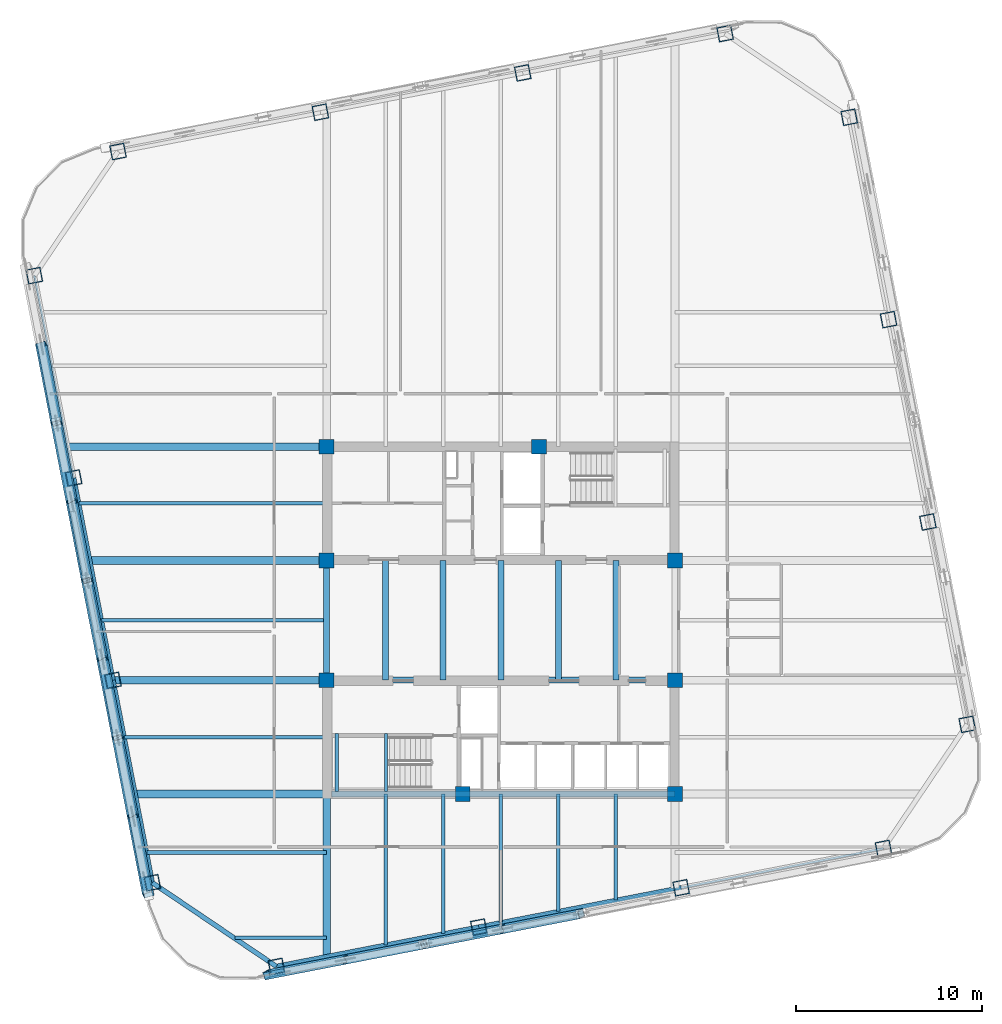
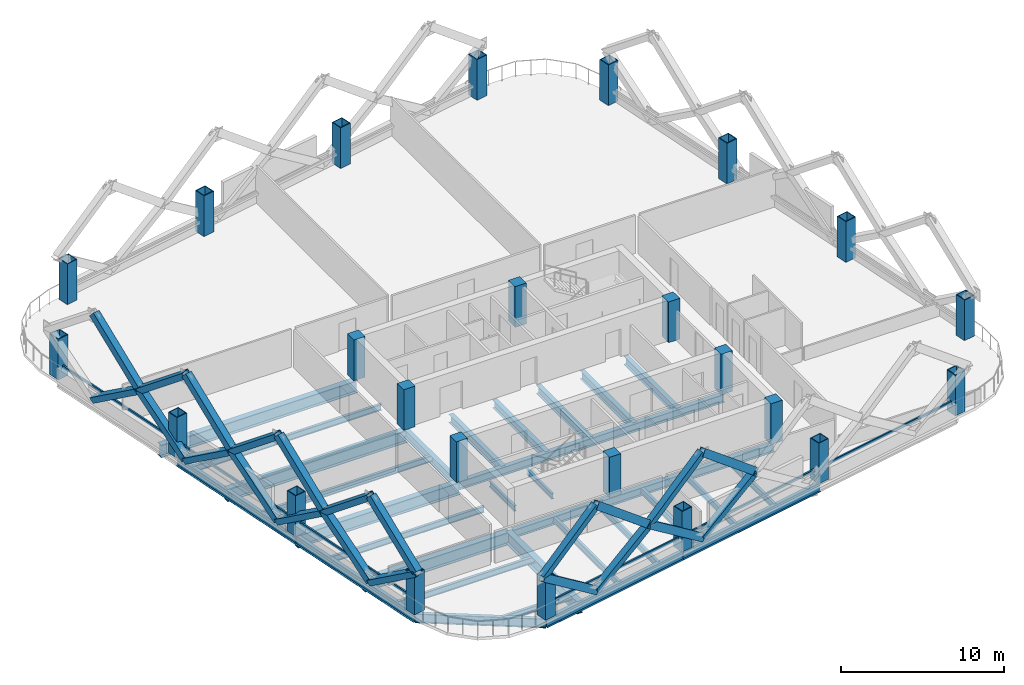
# One storey, part 1 of 9: 30 beams, 24 columns, 24 members.
"""IFC4 building model written with IfcOpenShell, lengths in metres."""

import ifcopenshell
import ifcopenshell.guid

model = None  # the IFC model being written
_history = None  # IfcOwnerHistory: only IFC2X3 demands one
_inside = {}  # id of a spatial element -> (the spatial element, [elements in it])
_under = {}  # id of a project, library or spatial element -> (it, [spatial elements below it])
_declared = {}  # id of a project -> (the project, [libraries it declares])
_typed = {}  # id of a type object -> (the type object, [elements of that type])
_made_of = {}  # id of a material, layer set ... -> (it, [elements and type objects made of it])


def new_model(schema):
    """Start an empty IFC model of exactly this schema.

    Asked for "IFC4X3", IfcOpenShell would pick the latest addendum, in which some entities
    have other attributes; the version numbers below select the first issue.
    IFC2X3 requires an IfcOwnerHistory on every rooted entity: one is made here for all.
    """
    global model, _history
    if schema == "IFC4X3":
        model = ifcopenshell.file(schema_version=(4, 3, 0, 0))
    else:
        model = ifcopenshell.file(schema=schema)
    _inside.clear()
    _under.clear()
    _declared.clear()
    _typed.clear()
    _made_of.clear()
    _history = None
    if model.schema == "IFC2X3":
        org = make("IfcOrganization", Name="unknown")
        user = make(
            "IfcPersonAndOrganization",
            ThePerson=make("IfcPerson", FamilyName="unknown"),
            TheOrganization=org,
        )
        app = make(
            "IfcApplication",
            ApplicationDeveloper=org,
            Version="unknown",
            ApplicationFullName="unknown",
            ApplicationIdentifier="unknown",
        )
        _history = make(
            "IfcOwnerHistory",
            OwningUser=user,
            OwningApplication=app,
            ChangeAction="ADDED",
            CreationDate=0,
        )
    return model


def make(cls, **values):
    """One entity of the class cls with the attributes given. An attribute that is None is left unset."""
    return model.create_entity(
        cls, **{name: value for name, value in values.items() if value is not None}
    )


def rooted(cls, **values):
    """An entity with a GlobalId (a new one), such as an element, a storey or a relation."""
    return make(cls, GlobalId=ifcopenshell.guid.new(), OwnerHistory=_history, **values)


def si_unit(unit_type, name, prefix=None):
    """IfcSIUnit, for example si_unit("LENGTHUNIT", "METRE", prefix="MILLI")."""
    return make("IfcSIUnit", UnitType=unit_type, Prefix=prefix, Name=name)


def assignment(units):
    """IfcUnitAssignment: the units of a project."""
    return None if units is None else make("IfcUnitAssignment", Units=units)


def point(xyz):
    """IfcCartesianPoint."""
    return None if xyz is None else make("IfcCartesianPoint", Coordinates=xyz)


def direction(xyz):
    """IfcDirection."""
    return None if xyz is None else make("IfcDirection", DirectionRatios=xyz)


def frame(location, z_axis=None, x_axis=None):
    """IfcAxis2Placement3D, a coordinate frame: its origin and axes. An axis left out is left unset."""
    return make(
        "IfcAxis2Placement3D",
        Location=point(location),
        Axis=direction(z_axis),
        RefDirection=direction(x_axis),
    )


def frame_2d(location, x_axis=None):
    """IfcAxis2Placement2D, a coordinate frame in the plane: its origin and x axis."""
    return make(
        "IfcAxis2Placement2D", Location=point(location), RefDirection=direction(x_axis)
    )


def origin():
    """The frame at (0, 0, 0) with its axes left unset."""
    return frame((0.0, 0.0, 0.0))


def origin_2d():
    """The frame at (0, 0) in the plane with its x axis left unset."""
    return frame_2d((0.0, 0.0))


def place(relative_to, where):
    """IfcLocalPlacement: puts the frame where relative to a parent placement (None: the world)."""
    return make(
        "IfcLocalPlacement", PlacementRelTo=relative_to, RelativePlacement=where
    )


def context(
    kind, dimensions, precision=None, world=None, true_north=None, identifier=None
):
    """IfcGeometricRepresentationContext, for example the 3D "Model" context."""
    return make(
        "IfcGeometricRepresentationContext",
        ContextIdentifier=identifier,
        ContextType=kind,
        CoordinateSpaceDimension=dimensions,
        Precision=precision,
        WorldCoordinateSystem=world,
        TrueNorth=true_north,
    )


def subcontext(parent, identifier, kind, view, scale=None):
    """IfcGeometricRepresentationSubContext, for example "Body" below "Model"."""
    return make(
        "IfcGeometricRepresentationSubContext",
        ContextIdentifier=identifier,
        ContextType=kind,
        ParentContext=parent,
        TargetScale=scale,
        TargetView=view,
    )


def project(units=None, contexts=None):
    """IfcProject with its units and contexts."""
    return rooted(
        "IfcProject",
        Name="project",
        RepresentationContexts=contexts,
        UnitsInContext=assignment(units),
    )


def spatial(cls, under=None, at=None, **own):
    """A site, building, storey or space (cls), placed at a placement, below another one or the project."""
    s = rooted(cls, ObjectPlacement=at, **own)
    if under is not None:
        _under.setdefault(under.id(), (under, []))[1].append(s)
    return s


def profile(cls, at=None, kind="AREA", **sizes):
    """A parametric profile (cls). Its sizes go by their IFC names, for example OverallWidth=200.0."""
    return make(cls, ProfileType=kind, Position=at, **sizes)


def rectangle(**sizes):
    """IfcRectangleProfileDef."""
    return profile("IfcRectangleProfileDef", **sizes)


def hollow_rectangle(**sizes):
    """IfcRectangleHollowProfileDef."""
    return profile("IfcRectangleHollowProfileDef", **sizes)


def i_section(**sizes):
    """IfcIShapeProfileDef."""
    return profile("IfcIShapeProfileDef", **sizes)


def extrude(swept, where, along, depth):
    """IfcExtrudedAreaSolid: the profile swept, set in the frame where, extruded along a direction by depth."""
    return make(
        "IfcExtrudedAreaSolid",
        SweptArea=swept,
        Position=where,
        ExtrudedDirection=direction(along),
        Depth=depth,
    )


def shape(context_of_items, identifier, shape_type, items):
    """IfcShapeRepresentation: the items that make up one representation, for example the "Body"."""
    return make(
        "IfcShapeRepresentation",
        ContextOfItems=context_of_items,
        RepresentationIdentifier=identifier,
        RepresentationType=shape_type,
        Items=items,
    )


def material(Name=None, Category=None):
    """IfcMaterial."""
    return make("IfcMaterial", Name=Name, Category=Category)


def material_profile(
    of_material, cross_section, Name=None, Category=None, Priority=None
):
    """IfcMaterialProfile: a cross section and its material."""
    return make(
        "IfcMaterialProfile",
        Name=Name,
        Material=of_material,
        Profile=cross_section,
        Priority=Priority,
        Category=Category,
    )


def profile_set(profiles, Name=None, composite=None):
    """IfcMaterialProfileSet."""
    return make(
        "IfcMaterialProfileSet",
        Name=Name,
        MaterialProfiles=profiles,
        CompositeProfile=composite,
    )


def made_of(thing, what):
    """Note that an element or type object is made of a material, layer set ...; save() writes the relation."""
    if what is not None:
        _made_of.setdefault(what.id(), (what, []))[1].append(thing)
    return thing


def type_object(cls, material=None, **own):
    """A type object (cls), such as IfcWallType, which elements share."""
    return made_of(rooted(cls, **own), material)


def element(
    cls,
    number,
    at=None,
    inside=None,
    cuts=None,
    type_object=None,
    material=None,
    context=None,
    identifier="Body",
    shape_type=None,
    held_by="IfcProductDefinitionShape",
    body=None,
    shapes=None,
    **own,
):
    """One element of the class cls, such as IfcWall. Its Tag is "e" and its number.

    at: its placement. inside: the storey or other place that contains it. cuts: it is an
    opening in that element (IfcRelVoidsElement). A single representation is given by context,
    identifier, shape_type and body (its items); several are given by shapes. held_by: the class
    of the entity that holds the representations. save() writes the other relations.
    """
    e = rooted(cls, Tag="e%d" % number, ObjectPlacement=at, **own)
    if body is not None:
        shapes = [shape(context, identifier, shape_type, body)]
    if shapes is not None:
        e.Representation = make(held_by, Representations=shapes)
    if inside is not None:
        _inside.setdefault(inside.id(), (inside, []))[1].append(e)
    if cuts is not None:
        rooted(
            "IfcRelVoidsElement", RelatingBuildingElement=cuts, RelatedOpeningElement=e
        )
    if type_object is not None:
        _typed.setdefault(type_object.id(), (type_object, []))[1].append(e)
    return made_of(e, material)


def aggregate(whole, parts):
    """IfcRelAggregates: a whole, such as a stair, and the parts it consists of."""
    return rooted("IfcRelAggregates", RelatingObject=whole, RelatedObjects=parts)


def save(model, path):
    """Write the relations noted so far, then the file.

    IfcRelAggregates (storeys below a building ...), IfcRelContainedInSpatialStructure (elements
    in a storey), IfcRelDefinesByType, IfcRelAssociatesMaterial and IfcRelDeclares: one each for
    every whole, place, type object, material and project.
    """
    for whole, parts in _under.values():
        aggregate(whole, parts)
    for where, things in _inside.values():
        rooted(
            "IfcRelContainedInSpatialStructure",
            RelatedElements=things,
            RelatingStructure=where,
        )
    for kind, things in _typed.values():
        rooted("IfcRelDefinesByType", RelatedObjects=things, RelatingType=kind)
    for what, things in _made_of.values():
        rooted("IfcRelAssociatesMaterial", RelatedObjects=things, RelatingMaterial=what)
    for by, libraries in _declared.values():
        rooted("IfcRelDeclares", RelatingContext=by, RelatedDefinitions=libraries)
    model.write(path)


model = new_model("IFC4")

# Units and contexts
model_context = context("Model", 3, precision=1e-05, world=origin(), true_north=direction((0.0, 1.0)))
body_context = subcontext(model_context, "Body", "Model", "MODEL_VIEW")
ifc_project = project(units=[si_unit("LENGTHUNIT", "METRE"), si_unit("AREAUNIT", "SQUARE_METRE"), si_unit("VOLUMEUNIT", "CUBIC_METRE"), si_unit("PLANEANGLEUNIT", "RADIAN"), si_unit("MASSUNIT", "GRAM", prefix="KILO")], contexts=[model_context])

# Site, building, storey
site_placement = place(None, origin())
site = spatial("IfcSite", under=ifc_project, at=site_placement, CompositionType="ELEMENT")
building_placement = place(site_placement, origin())
building = spatial("IfcBuilding", under=site, at=building_placement, Name="Qhalaya Broadcast Tower", CompositionType="ELEMENT")
storey_placement = place(building_placement, frame((0.0, 0.0, 137.199951171875)))
storey = spatial("IfcBuildingStorey", under=building, at=storey_placement, Name="L40", CompositionType="ELEMENT", Elevation=137.199951171875)

# Columns
ifc_material_1 = material(Name="Concrete C50/60", Category="concrete")
ifc_material_profile_1 = material_profile(ifc_material_1, rectangle(XDim=0.800048828125, YDim=0.800048828125, at=origin_2d()), Name="RC-COL 800x800")
ifc_profile_set_1 = profile_set([ifc_material_profile_1], Name="Concrete C50/60")
column_type_1 = type_object("IfcColumnType", Name="RC Upper Column C10", PredefinedType="COLUMN", material=ifc_profile_set_1)
for number, where, z_axis, x_axis, name in (
    (1, (-9.375, 9.949951171875, 0.0), (0.0, 0.0, 1.0), (1.0, 0.0, 0.0), "L40 Column COL-CC1"),
    (2, (2.050048828125, 9.949951171875, 0.0), (0.0, 0.0, 1.0), (1.0, 0.0, 0.0), "L40 Column COL-CC2"),
    (3, (-9.375, 3.824951171875, 0.0), (0.0, 0.0, 1.0), (1.0, 0.0, 0.0), "L40 Column COL-CC3"),
    (4, (9.375, 3.824951171875, 0.0), (0.0, 0.0, 1.0), (1.0, 0.0, 0.0), "L40 Column COL-CC4"),
    (5, (-9.375, -2.625, 0.0), (0.0, 0.0, 1.0), (1.0, 0.0, 0.0), "L40 Column COL-CC5"),
    (6, (9.375, -2.625, 0.0), (0.0, 0.0, 1.0), (1.0, 0.0, 0.0), "L40 Column COL-CC6"),
    (7, (-2.050048828125, -8.75, 0.0), (0.0, 0.0, 1.0), (1.0, 0.0, 0.0), "L40 Column COL-CC7"),
    (8, (9.375, -8.75, 0.0), (0.0, 0.0, 1.0), (1.0, 0.0, 0.0), "L40 Column COL-CC8"),
):
    element("IfcColumn", number, at=place(storey_placement, frame(where, z_axis=z_axis, x_axis=x_axis)), inside=storey, type_object=column_type_1, Name=name, PredefinedType="COLUMN", context=body_context, shape_type="SweptSolid", body=[
        extrude(rectangle(XDim=0.800048828125, YDim=0.800048828125, at=origin_2d()), origin(), (0.0, 0.0, 1.0), 3.050048828125),
    ])
ifc_material_2 = material(Name="Structural Steel ASTM A572 Grade 50", Category="steel")
ifc_material_profile_2 = material_profile(ifc_material_2, hollow_rectangle(XDim=0.800048828125, YDim=0.800048828125, WallThickness=0.050048828125, at=origin_2d()), Name="BOX 800x800x50")
ifc_profile_set_2 = profile_set([ifc_material_profile_2], Name="Structural Steel ASTM A572 Grade 50")
column_type_2 = type_object("IfcColumnType", Name="Steel Box Column C03", PredefinedType="COLUMN", material=ifc_profile_set_2)
for number, where, z_axis, x_axis, name in (
    (9, (-12.07958984375, -18.036376953125, 0.0), (0.0, 0.0, 1.0), (0.981627183448, 0.190808995377, 0.0), "L40 Column COL-EX01"),
    (10, (-1.183349609375, -15.91845703125, 0.0), (0.0, 0.0, 1.0), (0.981627183448, 0.190808995377, 0.0), "L40 Column COL-EX02"),
    (11, (9.712646484375, -13.80029296875, 0.0), (0.0, 0.0, 1.0), (0.981627183448, 0.190808995377, 0.0), "L40 Column COL-EX03"),
    (12, (20.608642578125, -11.682373046875, 0.0), (0.0, 0.0, 1.0), (0.981627183448, 0.190808995377, 0.0), "L40 Column COL-EX04"),
    (13, (25.1162109375, -4.99951171875, 0.0), (0.0, 0.0, 1.0), (-0.190808995377, 0.981627183448, 0.0), "L40 Column COL-EX05"),
    (14, (22.998291015625, 5.896484375, 0.0), (0.0, 0.0, 1.0), (-0.190808995377, 0.981627183448, 0.0), "L40 Column COL-EX06"),
    (15, (20.88037109375, 16.79248046875, 0.0), (0.0, 0.0, 1.0), (-0.190808995377, 0.981627183448, 0.0), "L40 Column COL-EX07"),
    (16, (18.762451171875, 27.688720703125, 0.0), (0.0, 0.0, 1.0), (-0.190808995377, 0.981627183448, 0.0), "L40 Column COL-EX08"),
    (17, (12.07958984375, 32.1962890625, 0.0), (0.0, 0.0, 1.0), (0.981627183448, 0.190808995377, 0.0), "L40 Column COL-EX09"),
    (18, (1.183349609375, 30.078369140625, 0.0), (0.0, 0.0, 1.0), (0.981627183448, 0.190808995377, 0.0), "L40 Column COL-EX10"),
    (19, (-9.712646484375, 27.96044921875, 0.0), (0.0, 0.0, 1.0), (0.981627183448, 0.190808995377, 0.0), "L40 Column COL-EX11"),
    (20, (-20.608642578125, 25.84228515625, 0.0), (0.0, 0.0, 1.0), (0.981627183448, 0.190808995377, 0.0), "L40 Column COL-EX12"),
    (21, (-25.1162109375, 19.159423828125, 0.0), (0.0, 0.0, 1.0), (-0.190808995377, 0.981627183448, 0.0), "L40 Column COL-EX13"),
    (22, (-22.998291015625, 8.263427734375, 0.0), (0.0, 0.0, 1.0), (-0.190808995377, 0.981627183448, 0.0), "L40 Column COL-EX14"),
    (23, (-20.88037109375, -2.632568359375, 0.0), (0.0, 0.0, 1.0), (-0.190808995377, 0.981627183448, 0.0), "L40 Column COL-EX15"),
    (24, (-18.762451171875, -13.52880859375, 0.0), (0.0, 0.0, 1.0), (-0.190808995377, 0.981627183448, 0.0), "L40 Column COL-EX16"),
):
    element("IfcColumn", number, at=place(storey_placement, frame(where, z_axis=z_axis, x_axis=x_axis)), inside=storey, type_object=column_type_2, Name=name, PredefinedType="COLUMN", context=body_context, shape_type="SweptSolid", body=[
        extrude(hollow_rectangle(XDim=0.800048828125, YDim=0.800048828125, WallThickness=0.050048828125, at=origin_2d()), origin(), (0.0, 0.0, 1.0), 3.050048828125),
    ])

# Beams
ifc_material_3 = material(Name="Structural Steel ASTM A992 Grade 50", Category="steel")
ifc_material_profile_3 = material_profile(ifc_material_3, i_section(OverallWidth=0.19189453125, OverallDepth=0.462890625, WebThickness=0.010498046875, FlangeThickness=0.017578125, at=origin_2d()), Name="W18X60")
ifc_profile_set_3 = profile_set([ifc_material_profile_3], Name="Structural Steel ASTM A992 Grade 50")
beam_type_1 = type_object("IfcBeamType", Name="Composite Floor Joist J03", PredefinedType="JOIST", material=ifc_profile_set_3)
beam_1_placement = place(storey_placement, frame((-6.199951171875, -16.873046875, -0.451416015625), z_axis=(0.0, 1.0, 0.0), x_axis=(-1.0, 0.0, 0.0)))
element("IfcBeam", 25, at=beam_1_placement, inside=storey, type_object=beam_type_1, Name="L40 J03 L40-JNS1-1", PredefinedType="JOIST", context=body_context, shape_type="SweptSolid", body=[
    extrude(i_section(OverallWidth=0.19189453125, OverallDepth=0.462890625, WebThickness=0.010498046875, FlangeThickness=0.017578125, at=origin_2d()), origin(), (0.0, 0.0, 1.0), 8.123046875),
])
beam_2_placement = place(storey_placement, frame((-3.10009765625, -16.2705078125, -0.451416015625), z_axis=(0.0, 1.0, 0.0), x_axis=(-1.0, 0.0, 0.0)))
element("IfcBeam", 26, at=beam_2_placement, inside=storey, type_object=beam_type_1, Name="L40 J03 L40-JNS2-1", PredefinedType="JOIST", context=body_context, shape_type="SweptSolid", body=[
    extrude(i_section(OverallWidth=0.19189453125, OverallDepth=0.462890625, WebThickness=0.010498046875, FlangeThickness=0.017578125, at=origin_2d()), origin(), (0.0, 0.0, 1.0), 7.5205078125),
])
beam_3_placement = place(storey_placement, frame((0.0, -15.66796875, -0.451416015625), z_axis=(0.0, 1.0, 0.0), x_axis=(-1.0, 0.0, 0.0)))
element("IfcBeam", 27, at=beam_3_placement, inside=storey, type_object=beam_type_1, Name="L40 J03 L40-JNS3-1", PredefinedType="JOIST", context=body_context, shape_type="SweptSolid", body=[
    extrude(i_section(OverallWidth=0.19189453125, OverallDepth=0.462890625, WebThickness=0.010498046875, FlangeThickness=0.017578125, at=origin_2d()), origin(), (0.0, 0.0, 1.0), 6.91796875),
])
beam_4_placement = place(storey_placement, frame((3.10009765625, -15.0654296875, -0.451416015625), z_axis=(0.0, 1.0, 0.0), x_axis=(-1.0, 0.0, 0.0)))
element("IfcBeam", 28, at=beam_4_placement, inside=storey, type_object=beam_type_1, Name="L40 J03 L40-JNS4-1", PredefinedType="JOIST", context=body_context, shape_type="SweptSolid", body=[
    extrude(i_section(OverallWidth=0.19189453125, OverallDepth=0.462890625, WebThickness=0.010498046875, FlangeThickness=0.017578125, at=origin_2d()), origin(), (0.0, 0.0, 1.0), 6.3154296875),
])
beam_5_placement = place(storey_placement, frame((6.199951171875, -14.462890625, -0.451416015625), z_axis=(0.0, 1.0, 0.0), x_axis=(-1.0, 0.0, 0.0)))
element("IfcBeam", 29, at=beam_5_placement, inside=storey, type_object=beam_type_1, Name="L40 J03 L40-JNS5-1", PredefinedType="JOIST", context=body_context, shape_type="SweptSolid", body=[
    extrude(i_section(OverallWidth=0.19189453125, OverallDepth=0.462890625, WebThickness=0.010498046875, FlangeThickness=0.017578125, at=origin_2d()), origin(), (0.0, 0.0, 1.0), 5.712890625),
])
beam_6_placement = place(storey_placement, frame((-14.3212890625, -16.5, -0.451416015625), z_axis=(1.0, 0.0, 0.0), x_axis=(0.0, 1.0, 0.0)))
element("IfcBeam", 30, at=beam_6_placement, inside=storey, type_object=beam_type_1, Name="L40 J03 L40-JWE1W-1", PredefinedType="JOIST", context=body_context, shape_type="SweptSolid", body=[
    extrude(i_section(OverallWidth=0.19189453125, OverallDepth=0.462890625, WebThickness=0.010498046875, FlangeThickness=0.017578125, at=origin_2d()), origin(), (0.0, 0.0, 1.0), 4.9462890625),
])
beam_7_placement = place(storey_placement, frame((-19.05859375, -11.89990234375, -0.451416015625), z_axis=(1.0, 0.0, 0.0), x_axis=(0.0, 1.0, 0.0)))
element("IfcBeam", 31, at=beam_7_placement, inside=storey, type_object=beam_type_1, Name="L40 J03 L40-JWE2W-1", PredefinedType="JOIST", context=body_context, shape_type="SweptSolid", body=[
    extrude(i_section(OverallWidth=0.19189453125, OverallDepth=0.462890625, WebThickness=0.010498046875, FlangeThickness=0.017578125, at=origin_2d()), origin(), (0.0, 0.0, 1.0), 9.68359375),
])
beam_8_placement = place(storey_placement, frame((-20.263916015625, -5.699951171875, -0.451416015625), z_axis=(1.0, 0.0, 0.0), x_axis=(0.0, 1.0, 0.0)))
element("IfcBeam", 32, at=beam_8_placement, inside=storey, type_object=beam_type_1, Name="L40 J03 L40-JWE3W-1", PredefinedType="JOIST", context=body_context, shape_type="SweptSolid", body=[
    extrude(i_section(OverallWidth=0.19189453125, OverallDepth=0.462890625, WebThickness=0.010498046875, FlangeThickness=0.017578125, at=origin_2d()), origin(), (0.0, 0.0, 1.0), 10.888916015625),
])
beam_9_placement = place(storey_placement, frame((-21.48828125, 0.60009765625, -0.451416015625), z_axis=(1.0, 0.0, 0.0), x_axis=(0.0, 1.0, 0.0)))
element("IfcBeam", 33, at=beam_9_placement, inside=storey, type_object=beam_type_1, Name="L40 J03 L40-JWE4W-1", PredefinedType="JOIST", context=body_context, shape_type="SweptSolid", body=[
    extrude(i_section(OverallWidth=0.19189453125, OverallDepth=0.462890625, WebThickness=0.010498046875, FlangeThickness=0.017578125, at=origin_2d()), origin(), (0.0, 0.0, 1.0), 12.11328125),
])
beam_10_placement = place(storey_placement, frame((-22.712890625, 6.89990234375, -0.451416015625), z_axis=(1.0, 0.0, 0.0), x_axis=(0.0, 1.0, 0.0)))
element("IfcBeam", 34, at=beam_10_placement, inside=storey, type_object=beam_type_1, Name="L40 J03 L40-JWE5W-1", PredefinedType="JOIST", context=body_context, shape_type="SweptSolid", body=[
    extrude(i_section(OverallWidth=0.19189453125, OverallDepth=0.462890625, WebThickness=0.010498046875, FlangeThickness=0.017578125, at=origin_2d()), origin(), (0.0, 0.0, 1.0), 13.337890625),
])
ifc_material_profile_4 = material_profile(ifc_material_3, i_section(OverallWidth=0.323974609375, OverallDepth=0.612060546875, WebThickness=0.0126953125, FlangeThickness=0.01904296875, at=origin_2d()), Name="W24X104")
ifc_profile_set_4 = profile_set([ifc_material_profile_4], Name="Structural Steel ASTM A992 Grade 50")
beam_type_2 = type_object("IfcBeamType", Name="Core Frame Tie Beam B04", PredefinedType="BEAM", material=ifc_profile_set_4)
beam_11_placement = place(storey_placement, frame((-9.375, -2.625, -0.52587890625), z_axis=(1.0, 0.0, 0.0), x_axis=(0.0, 1.0, 0.0)))
element("IfcBeam", 35, at=beam_11_placement, inside=storey, type_object=beam_type_2, Name="L40 B04 L40-CCS1", PredefinedType="BEAM", context=body_context, shape_type="SweptSolid", body=[
    extrude(i_section(OverallWidth=0.323974609375, OverallDepth=0.612060546875, WebThickness=0.0126953125, FlangeThickness=0.01904296875, at=origin_2d()), origin(), (0.0, 0.0, 1.0), 18.75),
])
beam_12_placement = place(storey_placement, frame((-9.1201171875, -8.75, -0.52587890625), z_axis=(1.0, 0.0, 0.0), x_axis=(0.0, 1.0, 0.0)))
element("IfcBeam", 36, at=beam_12_placement, inside=storey, type_object=beam_type_2, Name="L40 B04 L40-CCS3", PredefinedType="BEAM", context=body_context, shape_type="SweptSolid", body=[
    extrude(i_section(OverallWidth=0.323974609375, OverallDepth=0.612060546875, WebThickness=0.0126953125, FlangeThickness=0.01904296875, at=origin_2d()), origin(), (0.0, 0.0, 1.0), 18.4951171875),
])
for number, where, z_axis, x_axis, name in (
    (37, (-9.375, -2.625, -0.52587890625), (0.0, 1.0, 0.0), (-1.0, 0.0, 0.0), "L40 B04 L40-CCW"),
    (38, (-6.199951171875, -2.625, -0.52587890625), (0.0, 1.0, 0.0), (-1.0, 0.0, 0.0), "L40 B04 L40-JC1-1"),
    (39, (-3.10009765625, -2.625, -0.52587890625), (0.0, 1.0, 0.0), (-1.0, 0.0, 0.0), "L40 B04 L40-JC2-1"),
    (40, (0.0, -2.625, -0.52587890625), (0.0, 1.0, 0.0), (-1.0, 0.0, 0.0), "L40 B04 L40-JC3-1"),
    (41, (3.10009765625, -2.625, -0.52587890625), (0.0, 1.0, 0.0), (-1.0, 0.0, 0.0), "L40 B04 L40-JC4-1"),
    (42, (6.199951171875, -2.625, -0.52587890625), (0.0, 1.0, 0.0), (-1.0, 0.0, 0.0), "L40 B04 L40-JC5-1"),
):
    element("IfcBeam", number, at=place(storey_placement, frame(where, z_axis=z_axis, x_axis=x_axis)), inside=storey, type_object=beam_type_2, Name=name, PredefinedType="BEAM", context=body_context, shape_type="SweptSolid", body=[
        extrude(i_section(OverallWidth=0.323974609375, OverallDepth=0.612060546875, WebThickness=0.0126953125, FlangeThickness=0.01904296875, at=origin_2d()), origin(), (0.0, 0.0, 1.0), 6.449951171875),
    ])

# Members
ifc_material_profile_5 = material_profile(ifc_material_2, hollow_rectangle(XDim=0.419921875, YDim=0.550048828125, WallThickness=0.028076171875, at=origin_2d()), Name="BOX 420x550x28")
ifc_profile_set_5 = profile_set([ifc_material_profile_5], Name="Structural Steel ASTM A572 Grade 50")
member_type_1 = type_object("IfcMemberType", Name="Exoskeleton Diamond Diagonal Mid-Low EX2", PredefinedType="BRACE", material=ifc_profile_set_5)
for number, where, z_axis, x_axis, name in (
    (43, (-8.370361328125, -17.66162109375, 0.360107421875), (-0.810195210327, -0.157515892151, 0.564599384416), (0.293088153973, -0.943025531131, 0.157487084026), "B3 Exoskeleton Diamond Brace S1-D1"),
    (44, (-8.370361328125, -17.66162109375, 0.360107421875), (0.810201172713, 0.157470324243, 0.564603539413), (-0.293036524533, 0.943041666352, 0.157486541693), "B3 Exoskeleton Diamond Brace S1-D2"),
):
    element("IfcMember", number, at=place(storey_placement, frame(where, z_axis=z_axis, x_axis=x_axis)), inside=storey, type_object=member_type_1, Name=name, PredefinedType="BRACE", context=body_context, shape_type="SweptSolid", body=[
        extrude(hollow_rectangle(XDim=0.419921875, YDim=0.550048828125, WallThickness=0.028076171875, at=origin_2d()), origin(), (0.0, 0.0, 1.0), 5.224853515625),
    ])
for number, where, z_axis, x_axis, name in (
    (45, (-12.603515625, -18.484619140625, 3.31005859375), (0.7682517251, 0.149361356786, 0.622479294419), (-0.303929176994, 0.940917849685, 0.149334040046), "B3 Exoskeleton Diamond Brace S1-D3"),
    (46, (-4.13720703125, -16.8388671875, 3.31005859375), (-0.768256808581, -0.149318037079, 0.622483413331), (0.30387765791, -0.940934588695, 0.149333414947), "B3 Exoskeleton Diamond Brace S1-D4"),
):
    element("IfcMember", number, at=place(storey_placement, frame(where, z_axis=z_axis, x_axis=x_axis)), inside=storey, type_object=member_type_1, Name=name, PredefinedType="BRACE", context=body_context, shape_type="SweptSolid", body=[
        extrude(hollow_rectangle(XDim=0.419921875, YDim=0.550048828125, WallThickness=0.028076171875, at=origin_2d()), origin(), (0.0, 0.0, 1.0), 5.510009765625),
    ])
for number, where, z_axis, x_axis, name in (
    (47, (0.09619140625, -16.01611328125, 0.360107421875), (-0.81021722602, -0.157464362842, 0.564582165052), (0.29302233544, -0.943045609389, 0.157489331531), "B3 Exoskeleton Diamond Brace S2-D1"),
    (48, (0.09619140625, -16.01611328125, 0.360107421875), (0.810211263968, 0.157509929114, 0.564578010526), (-0.293073962383, 0.943029475803, 0.157489873772), "B3 Exoskeleton Diamond Brace S2-D2"),
):
    element("IfcMember", number, at=place(storey_placement, frame(where, z_axis=z_axis, x_axis=x_axis)), inside=storey, type_object=member_type_1, Name=name, PredefinedType="BRACE", context=body_context, shape_type="SweptSolid", body=[
        extrude(hollow_rectangle(XDim=0.419921875, YDim=0.550048828125, WallThickness=0.028076171875, at=origin_2d()), origin(), (0.0, 0.0, 1.0), 5.22509765625),
    ])
for number, where, z_axis, x_axis, name in (
    (49, (-4.13720703125, -16.8388671875, 3.31005859375), (0.768274964261, 0.149312954415, 0.622462224504), (-0.303863526325, 0.940938642071, 0.149336630557), "B3 Exoskeleton Diamond Brace S2-D3"),
    (50, (4.32958984375, -15.193115234375, 3.31005859375), (-0.768269881006, -0.149356272715, 0.622458106012), (0.303915042915, -0.940921904726, 0.149337255557), "B3 Exoskeleton Diamond Brace S2-D4"),
):
    element("IfcMember", number, at=place(storey_placement, frame(where, z_axis=z_axis, x_axis=x_axis)), inside=storey, type_object=member_type_1, Name=name, PredefinedType="BRACE", context=body_context, shape_type="SweptSolid", body=[
        extrude(hollow_rectangle(XDim=0.419921875, YDim=0.550048828125, WallThickness=0.028076171875, at=origin_2d()), origin(), (0.0, 0.0, 1.0), 5.51025390625),
    ])
member_1_placement = place(storey_placement, frame((-24.74169921875, 15.4501953125, 0.360107421875), z_axis=(0.157515892151, -0.810195210327, 0.564599384416), x_axis=(-0.293072672479, 0.507624915822, 0.810200810591)))
element("IfcMember", 51, at=member_1_placement, inside=storey, type_object=member_type_1, Name="B3 Exoskeleton Diamond Brace W1-D2", PredefinedType="BRACE", context=body_context, shape_type="SweptSolid", body=[
    extrude(hollow_rectangle(XDim=0.419921875, YDim=0.550048828125, WallThickness=0.028076171875, at=origin_2d()), origin(), (0.0, 0.0, 1.0), 5.224853515625),
])
member_2_placement = place(storey_placement, frame((-23.918701171875, 11.217041015625, 3.31005859375), z_axis=(-0.149361356786, 0.7682517251, 0.622479294419), x_axis=(0.30391575353, -0.563397144342, 0.76825703544)))
element("IfcMember", 52, at=member_2_placement, inside=storey, type_object=member_type_1, Name="B3 Exoskeleton Diamond Brace W1-D4", PredefinedType="BRACE", context=body_context, shape_type="SweptSolid", body=[
    extrude(hollow_rectangle(XDim=0.419921875, YDim=0.550048828125, WallThickness=0.028076171875, at=origin_2d()), origin(), (0.0, 0.0, 1.0), 5.510009765625),
])
member_3_placement = place(storey_placement, frame((-23.095947265625, 6.98388671875, 0.360107421875), z_axis=(-0.157470324243, 0.810201172713, 0.564603539413), x_axis=(0.293045239695, -0.507645205852, 0.810198020528)))
element("IfcMember", 53, at=member_3_placement, inside=storey, type_object=member_type_1, Name="B3 Exoskeleton Diamond Brace W2-D1", PredefinedType="BRACE", context=body_context, shape_type="SweptSolid", body=[
    extrude(hollow_rectangle(XDim=0.419921875, YDim=0.550048828125, WallThickness=0.028076171875, at=origin_2d()), origin(), (0.0, 0.0, 1.0), 5.224853515625),
])
member_4_placement = place(storey_placement, frame((-23.095947265625, 6.98388671875, 0.360107421875), z_axis=(0.157464362842, -0.81021722602, 0.564582165052), x_axis=(-0.293035753872, 0.507627774648, 0.810212372998)))
element("IfcMember", 54, at=member_4_placement, inside=storey, type_object=member_type_1, Name="B3 Exoskeleton Diamond Brace W2-D2", PredefinedType="BRACE", context=body_context, shape_type="SweptSolid", body=[
    extrude(hollow_rectangle(XDim=0.419921875, YDim=0.550048828125, WallThickness=0.028076171875, at=origin_2d()), origin(), (0.0, 0.0, 1.0), 5.22509765625),
])
member_5_placement = place(storey_placement, frame((-23.918701171875, 11.217041015625, 3.31005859375), z_axis=(0.149318037079, -0.768256808581, 0.622483413331), x_axis=(-0.303885214513, 0.563418002102, 0.768253819586)))
element("IfcMember", 55, at=member_5_placement, inside=storey, type_object=member_type_1, Name="B3 Exoskeleton Diamond Brace W2-D3", PredefinedType="BRACE", context=body_context, shape_type="SweptSolid", body=[
    extrude(hollow_rectangle(XDim=0.419921875, YDim=0.550048828125, WallThickness=0.028076171875, at=origin_2d()), origin(), (0.0, 0.0, 1.0), 5.510009765625),
])
member_6_placement = place(storey_placement, frame((-22.273193359375, 2.75048828125, 3.31005859375), z_axis=(-0.149312954415, 0.768274964261, 0.622462224504), x_axis=(0.303875161046, -0.563400866755, 0.768270362463)))
element("IfcMember", 56, at=member_6_placement, inside=storey, type_object=member_type_1, Name="B3 Exoskeleton Diamond Brace W2-D4", PredefinedType="BRACE", context=body_context, shape_type="SweptSolid", body=[
    extrude(hollow_rectangle(XDim=0.419921875, YDim=0.550048828125, WallThickness=0.028076171875, at=origin_2d()), origin(), (0.0, 0.0, 1.0), 5.51025390625),
])
member_7_placement = place(storey_placement, frame((-21.4501953125, -1.482666015625, 0.360107421875), z_axis=(-0.157515892151, 0.810195210327, 0.564599384416), x_axis=(0.293072672479, -0.507624915822, 0.810200810591)))
element("IfcMember", 57, at=member_7_placement, inside=storey, type_object=member_type_1, Name="B3 Exoskeleton Diamond Brace W3-D1", PredefinedType="BRACE", context=body_context, shape_type="SweptSolid", body=[
    extrude(hollow_rectangle(XDim=0.419921875, YDim=0.550048828125, WallThickness=0.028076171875, at=origin_2d()), origin(), (0.0, 0.0, 1.0), 5.224853515625),
])
member_8_placement = place(storey_placement, frame((-21.4501953125, -1.482666015625, 0.360107421875), z_axis=(0.157464362842, -0.81021722602, 0.564582165052), x_axis=(-0.293035753872, 0.507627774648, 0.810212372998)))
element("IfcMember", 58, at=member_8_placement, inside=storey, type_object=member_type_1, Name="B3 Exoskeleton Diamond Brace W3-D2", PredefinedType="BRACE", context=body_context, shape_type="SweptSolid", body=[
    extrude(hollow_rectangle(XDim=0.419921875, YDim=0.550048828125, WallThickness=0.028076171875, at=origin_2d()), origin(), (0.0, 0.0, 1.0), 5.22509765625),
])
member_9_placement = place(storey_placement, frame((-22.273193359375, 2.75048828125, 3.31005859375), z_axis=(0.149361356786, -0.7682517251, 0.622479294419), x_axis=(-0.30391575353, 0.563397144342, 0.76825703544)))
element("IfcMember", 59, at=member_9_placement, inside=storey, type_object=member_type_1, Name="B3 Exoskeleton Diamond Brace W3-D3", PredefinedType="BRACE", context=body_context, shape_type="SweptSolid", body=[
    extrude(hollow_rectangle(XDim=0.419921875, YDim=0.550048828125, WallThickness=0.028076171875, at=origin_2d()), origin(), (0.0, 0.0, 1.0), 5.510009765625),
])
member_10_placement = place(storey_placement, frame((-20.62744140625, -5.716064453125, 3.31005859375), z_axis=(-0.149312954415, 0.768274964261, 0.622462224504), x_axis=(0.303875161046, -0.563400866755, 0.768270362463)))
element("IfcMember", 60, at=member_10_placement, inside=storey, type_object=member_type_1, Name="B3 Exoskeleton Diamond Brace W3-D4", PredefinedType="BRACE", context=body_context, shape_type="SweptSolid", body=[
    extrude(hollow_rectangle(XDim=0.419921875, YDim=0.550048828125, WallThickness=0.028076171875, at=origin_2d()), origin(), (0.0, 0.0, 1.0), 5.51025390625),
])
member_11_placement = place(storey_placement, frame((-19.804443359375, -9.94921875, 0.360107421875), z_axis=(-0.157515892151, 0.810195210327, 0.564599384416), x_axis=(0.293072672479, -0.507624915822, 0.810200810591)))
element("IfcMember", 61, at=member_11_placement, inside=storey, type_object=member_type_1, Name="B3 Exoskeleton Diamond Brace W4-D1", PredefinedType="BRACE", context=body_context, shape_type="SweptSolid", body=[
    extrude(hollow_rectangle(XDim=0.419921875, YDim=0.550048828125, WallThickness=0.028076171875, at=origin_2d()), origin(), (0.0, 0.0, 1.0), 5.224853515625),
])
member_12_placement = place(storey_placement, frame((-19.804443359375, -9.94921875, 0.360107421875), z_axis=(0.157464362842, -0.81021722602, 0.564582165052), x_axis=(-0.293035753872, 0.507627774648, 0.810212372998)))
element("IfcMember", 62, at=member_12_placement, inside=storey, type_object=member_type_1, Name="B3 Exoskeleton Diamond Brace W4-D2", PredefinedType="BRACE", context=body_context, shape_type="SweptSolid", body=[
    extrude(hollow_rectangle(XDim=0.419921875, YDim=0.550048828125, WallThickness=0.028076171875, at=origin_2d()), origin(), (0.0, 0.0, 1.0), 5.22509765625),
])
member_13_placement = place(storey_placement, frame((-20.62744140625, -5.716064453125, 3.31005859375), z_axis=(0.149361356786, -0.7682517251, 0.622479294419), x_axis=(-0.30391575353, 0.563397144342, 0.76825703544)))
element("IfcMember", 63, at=member_13_placement, inside=storey, type_object=member_type_1, Name="B3 Exoskeleton Diamond Brace W4-D3", PredefinedType="BRACE", context=body_context, shape_type="SweptSolid", body=[
    extrude(hollow_rectangle(XDim=0.419921875, YDim=0.550048828125, WallThickness=0.028076171875, at=origin_2d()), origin(), (0.0, 0.0, 1.0), 5.510009765625),
])
member_14_placement = place(storey_placement, frame((-18.981689453125, -14.1826171875, 3.31005859375), z_axis=(-0.149312954415, 0.768274964261, 0.622462224504), x_axis=(0.303875161046, -0.563400866755, 0.768270362463)))
element("IfcMember", 64, at=member_14_placement, inside=storey, type_object=member_type_1, Name="B3 Exoskeleton Diamond Brace W4-D4", PredefinedType="BRACE", context=body_context, shape_type="SweptSolid", body=[
    extrude(hollow_rectangle(XDim=0.419921875, YDim=0.550048828125, WallThickness=0.028076171875, at=origin_2d()), origin(), (0.0, 0.0, 1.0), 5.51025390625),
])
ifc_material_4 = material(Name="Fired Architectural Terracotta", Category="masonry")
ifc_material_profile_6 = material_profile(ifc_material_4, hollow_rectangle(XDim=0.110107421875, YDim=0.179931640625, WallThickness=0.01806640625, at=origin_2d()), Name="TB-BAG 110x180x18")
ifc_profile_set_6 = profile_set([ifc_material_profile_6], Name="Fired Architectural Terracotta")
member_type_2 = type_object("IfcMemberType", Name="Fired Terracotta Facade Baguette Member TB1", PredefinedType="USERDEFINED", material=ifc_profile_set_6)
for number, where, z_axis, x_axis, name in (
    (65, (-12.07958984375, -18.036376953125, 0.84912109375), (0.981626873058, 0.190810592185, 0.0), (-0.190810592185, 0.981626873058, 0.0), "L40 Terracotta Baguette Feature Rail S"),
    (66, (-25.1162109375, 19.159423828125, 0.84912109375), (0.190803527564, -0.981628246267, 0.0), (0.981628246267, 0.190803527564, 0.0), "L40 Terracotta Baguette Feature Rail W"),
):
    element("IfcMember", number, at=place(storey_placement, frame(where, z_axis=z_axis, x_axis=x_axis)), inside=storey, type_object=member_type_2, Name=name, ObjectType="BAGUETTE", PredefinedType="USERDEFINED", context=body_context, shape_type="SweptSolid", body=[
        extrude(hollow_rectangle(XDim=0.110107421875, YDim=0.179931640625, WallThickness=0.01806640625, at=origin_2d()), origin(), (0.0, 0.0, 1.0), 33.300048828125),
    ])

# Beams
ifc_material_profile_7 = material_profile(ifc_material_3, i_section(OverallWidth=0.4189453125, OverallDepth=0.927001953125, WebThickness=0.019287109375, FlangeThickness=0.031982421875, at=origin_2d()), Name="W36X231")
ifc_profile_set_7 = profile_set([ifc_material_profile_7], Name="Structural Steel ASTM A992 Grade 50")
beam_type_3 = type_object("IfcBeamType", Name="Mid Block Primary Girder PG3", PredefinedType="USERDEFINED", material=ifc_profile_set_7)
beam_13_placement = place(storey_placement, frame((-9.375, -17.490234375, -0.683349609375), z_axis=(0.0, 1.0, 0.0), x_axis=(-1.0, 0.0, 0.0)))
element("IfcBeam", 67, at=beam_13_placement, inside=storey, type_object=beam_type_3, Name="L40 PG3 L40-PGXS1-1", ObjectType="GIRDER", PredefinedType="USERDEFINED", context=body_context, shape_type="SweptSolid", body=[
    extrude(i_section(OverallWidth=0.4189453125, OverallDepth=0.927001953125, WebThickness=0.019287109375, FlangeThickness=0.031982421875, at=origin_2d()), origin(), (0.0, 0.0, 1.0), 8.740234375),
])
beam_14_placement = place(storey_placement, frame((-19.6708984375, -8.75, -0.683349609375), z_axis=(1.0, 0.0, 0.0), x_axis=(0.0, 1.0, 0.0)))
element("IfcBeam", 68, at=beam_14_placement, inside=storey, type_object=beam_type_3, Name="L40 PG3 L40-PGYW1-1", ObjectType="GIRDER", PredefinedType="USERDEFINED", context=body_context, shape_type="SweptSolid", body=[
    extrude(i_section(OverallWidth=0.4189453125, OverallDepth=0.927001953125, WebThickness=0.019287109375, FlangeThickness=0.031982421875, at=origin_2d()), origin(), (0.0, 0.0, 1.0), 10.2958984375),
])
beam_15_placement = place(storey_placement, frame((-20.861572265625, -2.625, -0.683349609375), z_axis=(1.0, 0.0, 0.0), x_axis=(0.0, 1.0, 0.0)))
element("IfcBeam", 69, at=beam_15_placement, inside=storey, type_object=beam_type_3, Name="L40 PG3 L40-PGYW2-1", ObjectType="GIRDER", PredefinedType="USERDEFINED", context=body_context, shape_type="SweptSolid", body=[
    extrude(i_section(OverallWidth=0.4189453125, OverallDepth=0.927001953125, WebThickness=0.019287109375, FlangeThickness=0.031982421875, at=origin_2d()), origin(), (0.0, 0.0, 1.0), 11.486572265625),
])
beam_16_placement = place(storey_placement, frame((-22.115234375, 3.824951171875, -0.683349609375), z_axis=(1.0, 0.0, 0.0), x_axis=(0.0, 1.0, 0.0)))
element("IfcBeam", 70, at=beam_16_placement, inside=storey, type_object=beam_type_3, Name="L40 PG3 L40-PGYW3-1", ObjectType="GIRDER", PredefinedType="USERDEFINED", context=body_context, shape_type="SweptSolid", body=[
    extrude(i_section(OverallWidth=0.4189453125, OverallDepth=0.927001953125, WebThickness=0.019287109375, FlangeThickness=0.031982421875, at=origin_2d()), origin(), (0.0, 0.0, 1.0), 12.740234375),
])
beam_17_placement = place(storey_placement, frame((-23.305908203125, 9.949951171875, -0.683349609375), z_axis=(1.0, 0.0, 0.0), x_axis=(0.0, 1.0, 0.0)))
element("IfcBeam", 71, at=beam_17_placement, inside=storey, type_object=beam_type_3, Name="L40 PG3 L40-PGYW4-1", ObjectType="GIRDER", PredefinedType="USERDEFINED", context=body_context, shape_type="SweptSolid", body=[
    extrude(i_section(OverallWidth=0.4189453125, OverallDepth=0.927001953125, WebThickness=0.019287109375, FlangeThickness=0.031982421875, at=origin_2d()), origin(), (0.0, 0.0, 1.0), 13.930908203125),
])
ifc_material_profile_8 = material_profile(ifc_material_3, i_section(OverallWidth=0.25390625, OverallDepth=0.68310546875, WebThickness=0.012451171875, FlangeThickness=0.01904296875, at=origin_2d()), Name="W27X94")
ifc_profile_set_8 = profile_set([ifc_material_profile_8], Name="Structural Steel ASTM A992 Grade 50")
beam_type_4 = type_object("IfcBeamType", Name="Perimeter Ring Spandrel Beam SP1", PredefinedType="SPANDREL", material=ifc_profile_set_8)
beam_18_placement = place(storey_placement, frame((-12.07958984375, -18.036376953125, -0.5615234375), z_axis=(0.98162878008, 0.190800781233, 0.0), x_axis=(-0.190800781233, 0.98162878008, 0.0)))
element("IfcBeam", 72, at=beam_18_placement, inside=storey, type_object=beam_type_4, Name="L40 SP1 L40-SPR-01", PredefinedType="SPANDREL", context=body_context, shape_type="SweptSolid", body=[
    extrude(i_section(OverallWidth=0.25390625, OverallDepth=0.68310546875, WebThickness=0.012451171875, FlangeThickness=0.01904296875, at=origin_2d()), origin(), (0.0, 0.0, 1.0), 11.10009765625),
])
for number, where, z_axis, x_axis, name in (
    (73, (-1.183349609375, -15.91845703125, -0.5615234375), (0.981623859527, 0.190826094673, 0.0), (-0.190826094673, 0.981623859527, 0.0), "L40 SP1 L40-SPR-02"),
    (74, (-22.998291015625, 8.263427734375, -0.5615234375), (0.190804900759, -0.981627979352, 0.0), (0.981627979352, 0.190804900759, 0.0), "L40 SP1 L40-SPR-14"),
):
    element("IfcBeam", number, at=place(storey_placement, frame(where, z_axis=z_axis, x_axis=x_axis)), inside=storey, type_object=beam_type_4, Name=name, PredefinedType="SPANDREL", context=body_context, shape_type="SweptSolid", body=[
        extrude(i_section(OverallWidth=0.25390625, OverallDepth=0.68310546875, WebThickness=0.012451171875, FlangeThickness=0.01904296875, at=origin_2d()), origin(), (0.0, 0.0, 1.0), 11.099853515625),
    ])
beam_19_placement = place(storey_placement, frame((-20.88037109375, -2.632568359375, -0.5615234375), z_axis=(0.190800781233, -0.98162878008, 0.0), x_axis=(0.98162878008, 0.190800781233, 0.0)))
element("IfcBeam", 75, at=beam_19_placement, inside=storey, type_object=beam_type_4, Name="L40 SP1 L40-SPR-15", PredefinedType="SPANDREL", context=body_context, shape_type="SweptSolid", body=[
    extrude(i_section(OverallWidth=0.25390625, OverallDepth=0.68310546875, WebThickness=0.012451171875, FlangeThickness=0.01904296875, at=origin_2d()), origin(), (0.0, 0.0, 1.0), 11.10009765625),
])
beam_20_placement = place(storey_placement, frame((-18.762451171875, -13.52880859375, -0.5615234375), z_axis=(0.829042088473, -0.559186208288, 0.0), x_axis=(0.559186208288, 0.829042088473, 0.0)))
element("IfcBeam", 76, at=beam_20_placement, inside=storey, type_object=beam_type_4, Name="L40 SP1 L40-SPR-16", PredefinedType="SPANDREL", context=body_context, shape_type="SweptSolid", body=[
    extrude(i_section(OverallWidth=0.25390625, OverallDepth=0.68310546875, WebThickness=0.012451171875, FlangeThickness=0.01904296875, at=origin_2d()), origin(), (0.0, 0.0, 1.0), 8.06103515625),
])
ifc_material_profile_9 = material_profile(ifc_material_3, i_section(OverallWidth=0.177978515625, OverallDepth=0.406005859375, WebThickness=0.0078125, FlangeThickness=0.0126953125, at=origin_2d()), Name="W16X40")
ifc_profile_set_9 = profile_set([ifc_material_profile_9], Name="Structural Steel ASTM A992 Grade 50")
beam_type_5 = type_object("IfcBeamType", Name="Upper Perimeter Spandrel Beam SP2", PredefinedType="SPANDREL", material=ifc_profile_set_9)
for number, where, z_axis, x_axis, name in (
    (77, (-8.830078125, -8.6201171875, 1.1220703125), (0.0, 1.0, 0.0), (-1.0, 0.0, 0.0), "L40 ST-2 Half-Landing Bearer Beam 1"),
    (78, (-6.175048828125, -8.6201171875, 1.1220703125), (0.0, 1.0, 0.0), (-1.0, 0.0, 0.0), "L40 ST-2 Half-Landing Bearer Beam 2"),
):
    element("IfcBeam", number, at=place(storey_placement, frame(where, z_axis=z_axis, x_axis=x_axis)), inside=storey, type_object=beam_type_5, Name=name, PredefinedType="SPANDREL", context=body_context, shape_type="SweptSolid", body=[
        extrude(i_section(OverallWidth=0.177978515625, OverallDepth=0.406005859375, WebThickness=0.0078125, FlangeThickness=0.0126953125, at=origin_2d()), origin(), (0.0, 0.0, 1.0), 3.1201171875),
    ])

save(model, "model.ifc")
